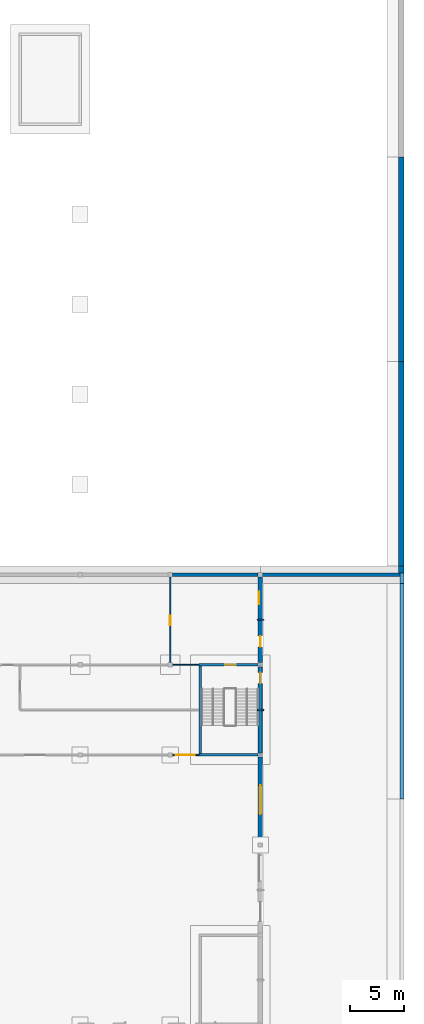
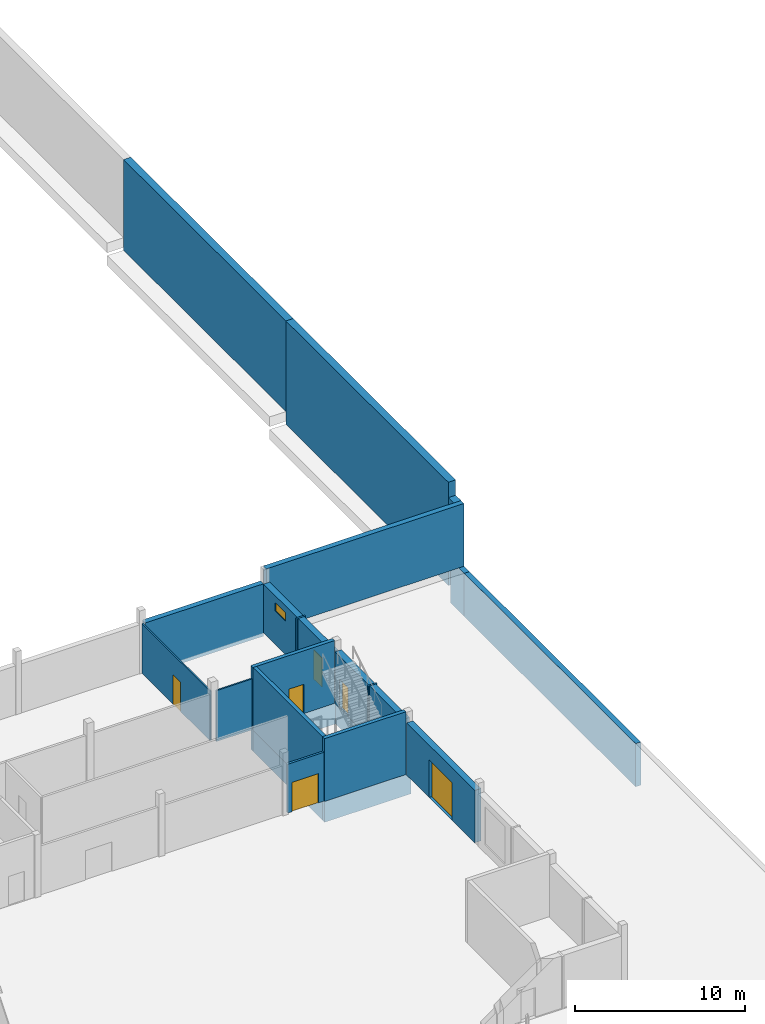
# One storey, part 27 of 36: 24 walls, 6 doors, 1 window, 7 openings.
"""IFC4 building model written with IfcOpenShell, lengths in metres."""

import ifcopenshell
import ifcopenshell.guid

model = None  # the IFC model being written
_history = None  # IfcOwnerHistory: only IFC2X3 demands one
_inside = {}  # id of a spatial element -> (the spatial element, [elements in it])
_under = {}  # id of a project, library or spatial element -> (it, [spatial elements below it])
_declared = {}  # id of a project -> (the project, [libraries it declares])
_typed = {}  # id of a type object -> (the type object, [elements of that type])
_made_of = {}  # id of a material, layer set ... -> (it, [elements and type objects made of it])


def new_model(schema):
    """Start an empty IFC model of exactly this schema.

    Asked for "IFC4X3", IfcOpenShell would pick the latest addendum, in which some entities
    have other attributes; the version numbers below select the first issue.
    IFC2X3 requires an IfcOwnerHistory on every rooted entity: one is made here for all.
    """
    global model, _history
    if schema == "IFC4X3":
        model = ifcopenshell.file(schema_version=(4, 3, 0, 0))
    else:
        model = ifcopenshell.file(schema=schema)
    _inside.clear()
    _under.clear()
    _declared.clear()
    _typed.clear()
    _made_of.clear()
    _history = None
    if model.schema == "IFC2X3":
        org = make("IfcOrganization", Name="unknown")
        user = make(
            "IfcPersonAndOrganization",
            ThePerson=make("IfcPerson", FamilyName="unknown"),
            TheOrganization=org,
        )
        app = make(
            "IfcApplication",
            ApplicationDeveloper=org,
            Version="unknown",
            ApplicationFullName="unknown",
            ApplicationIdentifier="unknown",
        )
        _history = make(
            "IfcOwnerHistory",
            OwningUser=user,
            OwningApplication=app,
            ChangeAction="ADDED",
            CreationDate=0,
        )
    return model


def make(cls, **values):
    """One entity of the class cls with the attributes given. An attribute that is None is left unset."""
    return model.create_entity(
        cls, **{name: value for name, value in values.items() if value is not None}
    )


def rooted(cls, **values):
    """An entity with a GlobalId (a new one), such as an element, a storey or a relation."""
    return make(cls, GlobalId=ifcopenshell.guid.new(), OwnerHistory=_history, **values)


def si_unit(unit_type, name, prefix=None):
    """IfcSIUnit, for example si_unit("LENGTHUNIT", "METRE", prefix="MILLI")."""
    return make("IfcSIUnit", UnitType=unit_type, Prefix=prefix, Name=name)


def assignment(units):
    """IfcUnitAssignment: the units of a project."""
    return None if units is None else make("IfcUnitAssignment", Units=units)


def point(xyz):
    """IfcCartesianPoint."""
    return None if xyz is None else make("IfcCartesianPoint", Coordinates=xyz)


def direction(xyz):
    """IfcDirection."""
    return None if xyz is None else make("IfcDirection", DirectionRatios=xyz)


def frame(location, z_axis=None, x_axis=None):
    """IfcAxis2Placement3D, a coordinate frame: its origin and axes. An axis left out is left unset."""
    return make(
        "IfcAxis2Placement3D",
        Location=point(location),
        Axis=direction(z_axis),
        RefDirection=direction(x_axis),
    )


def frame_2d(location, x_axis=None):
    """IfcAxis2Placement2D, a coordinate frame in the plane: its origin and x axis."""
    return make(
        "IfcAxis2Placement2D", Location=point(location), RefDirection=direction(x_axis)
    )


def origin():
    """The frame at (0, 0, 0) with its axes left unset."""
    return frame((0.0, 0.0, 0.0))


def place(relative_to, where):
    """IfcLocalPlacement: puts the frame where relative to a parent placement (None: the world)."""
    return make(
        "IfcLocalPlacement", PlacementRelTo=relative_to, RelativePlacement=where
    )


def context(
    kind, dimensions, precision=None, world=None, true_north=None, identifier=None
):
    """IfcGeometricRepresentationContext, for example the 3D "Model" context."""
    return make(
        "IfcGeometricRepresentationContext",
        ContextIdentifier=identifier,
        ContextType=kind,
        CoordinateSpaceDimension=dimensions,
        Precision=precision,
        WorldCoordinateSystem=world,
        TrueNorth=true_north,
    )


def subcontext(parent, identifier, kind, view, scale=None):
    """IfcGeometricRepresentationSubContext, for example "Body" below "Model"."""
    return make(
        "IfcGeometricRepresentationSubContext",
        ContextIdentifier=identifier,
        ContextType=kind,
        ParentContext=parent,
        TargetScale=scale,
        TargetView=view,
    )


def project(units=None, contexts=None):
    """IfcProject with its units and contexts."""
    return rooted(
        "IfcProject",
        Name="project",
        RepresentationContexts=contexts,
        UnitsInContext=assignment(units),
    )


def spatial(cls, under=None, at=None, **own):
    """A site, building, storey or space (cls), placed at a placement, below another one or the project."""
    s = rooted(cls, ObjectPlacement=at, **own)
    if under is not None:
        _under.setdefault(under.id(), (under, []))[1].append(s)
    return s


def profile(cls, at=None, kind="AREA", **sizes):
    """A parametric profile (cls). Its sizes go by their IFC names, for example OverallWidth=200.0."""
    return make(cls, ProfileType=kind, Position=at, **sizes)


def rectangle(**sizes):
    """IfcRectangleProfileDef."""
    return profile("IfcRectangleProfileDef", **sizes)


def extrude(swept, where, along, depth):
    """IfcExtrudedAreaSolid: the profile swept, set in the frame where, extruded along a direction by depth."""
    return make(
        "IfcExtrudedAreaSolid",
        SweptArea=swept,
        Position=where,
        ExtrudedDirection=direction(along),
        Depth=depth,
    )


def shape(context_of_items, identifier, shape_type, items):
    """IfcShapeRepresentation: the items that make up one representation, for example the "Body"."""
    return make(
        "IfcShapeRepresentation",
        ContextOfItems=context_of_items,
        RepresentationIdentifier=identifier,
        RepresentationType=shape_type,
        Items=items,
    )


def material(Name=None, Category=None):
    """IfcMaterial."""
    return make("IfcMaterial", Name=Name, Category=Category)


def layer(
    of_material, thickness, ventilated=None, Name=None, Category=None, Priority=None
):
    """IfcMaterialLayer: one layer of a wall or slab, of a material (None: an air gap)."""
    return make(
        "IfcMaterialLayer",
        Material=of_material,
        LayerThickness=thickness,
        IsVentilated=ventilated,
        Name=Name,
        Category=Category,
        Priority=Priority,
    )


def layer_set(layers, Name=None):
    """IfcMaterialLayerSet."""
    return make("IfcMaterialLayerSet", MaterialLayers=layers, LayerSetName=Name)


def made_of(thing, what):
    """Note that an element or type object is made of a material, layer set ...; save() writes the relation."""
    if what is not None:
        _made_of.setdefault(what.id(), (what, []))[1].append(thing)
    return thing


def type_object(cls, material=None, **own):
    """A type object (cls), such as IfcWallType, which elements share."""
    return made_of(rooted(cls, **own), material)


def element(
    cls,
    number,
    at=None,
    inside=None,
    cuts=None,
    type_object=None,
    material=None,
    context=None,
    identifier="Body",
    shape_type=None,
    held_by="IfcProductDefinitionShape",
    body=None,
    shapes=None,
    **own,
):
    """One element of the class cls, such as IfcWall. Its Tag is "e" and its number.

    at: its placement. inside: the storey or other place that contains it. cuts: it is an
    opening in that element (IfcRelVoidsElement). A single representation is given by context,
    identifier, shape_type and body (its items); several are given by shapes. held_by: the class
    of the entity that holds the representations. save() writes the other relations.
    """
    e = rooted(cls, Tag="e%d" % number, ObjectPlacement=at, **own)
    if body is not None:
        shapes = [shape(context, identifier, shape_type, body)]
    if shapes is not None:
        e.Representation = make(held_by, Representations=shapes)
    if inside is not None:
        _inside.setdefault(inside.id(), (inside, []))[1].append(e)
    if cuts is not None:
        rooted(
            "IfcRelVoidsElement", RelatingBuildingElement=cuts, RelatedOpeningElement=e
        )
    if type_object is not None:
        _typed.setdefault(type_object.id(), (type_object, []))[1].append(e)
    return made_of(e, material)


def fill(opening, filler):
    """IfcRelFillsElement: the door or window that sits in an opening."""
    return rooted(
        "IfcRelFillsElement",
        RelatingOpeningElement=opening,
        RelatedBuildingElement=filler,
    )


def aggregate(whole, parts):
    """IfcRelAggregates: a whole, such as a stair, and the parts it consists of."""
    return rooted("IfcRelAggregates", RelatingObject=whole, RelatedObjects=parts)


def save(model, path):
    """Write the relations noted so far, then the file.

    IfcRelAggregates (storeys below a building ...), IfcRelContainedInSpatialStructure (elements
    in a storey), IfcRelDefinesByType, IfcRelAssociatesMaterial and IfcRelDeclares: one each for
    every whole, place, type object, material and project.
    """
    for whole, parts in _under.values():
        aggregate(whole, parts)
    for where, things in _inside.values():
        rooted(
            "IfcRelContainedInSpatialStructure",
            RelatedElements=things,
            RelatingStructure=where,
        )
    for kind, things in _typed.values():
        rooted("IfcRelDefinesByType", RelatedObjects=things, RelatingType=kind)
    for what, things in _made_of.values():
        rooted("IfcRelAssociatesMaterial", RelatedObjects=things, RelatingMaterial=what)
    for by, libraries in _declared.values():
        rooted("IfcRelDeclares", RelatingContext=by, RelatedDefinitions=libraries)
    model.write(path)


model = new_model("IFC4")

# Units and contexts
model_context = context("Model", 3, precision=1e-05, world=origin(), true_north=direction((0.0, 1.0)))
body_context = subcontext(model_context, "Body", "Model", "MODEL_VIEW")
ifc_project = project(units=[si_unit("LENGTHUNIT", "METRE"), si_unit("AREAUNIT", "SQUARE_METRE"), si_unit("VOLUMEUNIT", "CUBIC_METRE"), si_unit("PLANEANGLEUNIT", "RADIAN"), si_unit("MASSUNIT", "GRAM", prefix="KILO")], contexts=[model_context])

# Site, building, storey
site_placement = place(None, origin())
site = spatial("IfcSite", under=ifc_project, at=site_placement, CompositionType="ELEMENT")
building_placement = place(site_placement, origin())
building = spatial("IfcBuilding", under=site, at=building_placement, Name="Fescue Hill Polytechnic", CompositionType="ELEMENT")
storey_placement = place(building_placement, origin())
storey = spatial("IfcBuildingStorey", under=building, at=storey_placement, Name="L00", CompositionType="ELEMENT", Elevation=0.0)

# Wall
ifc_material_1 = material(Name="Concrete 40 MPa", Category="concrete")
ifc_layer_1 = layer(ifc_material_1, 0.25)
ifc_layer_set_1 = layer_set([ifc_layer_1], Name="Concrete 40 MPa")
wall_type_1 = type_object("IfcWallType", Name="Core wall 250", PredefinedType="SHEAR", material=ifc_layer_set_1)
wall_1_placement = place(storey_placement, frame((153.875, 33.60009765625, 0.0), z_axis=(0.0, 0.0, 1.0), x_axis=(1.0, 0.0, 0.0)))
element("IfcWall", 1, at=wall_1_placement, inside=storey, type_object=wall_type_1, Name="CW-L00-ST-V3-2-11", PredefinedType="SHEAR", context=body_context, shape_type="SweptSolid", body=[
    extrude(rectangle(XDim=5.52490234375, YDim=0.25, at=frame_2d((2.762451171875, 0.0))), origin(), (0.0, 0.0, 1.0), 4.5),
])

# Wall, opening, door
wall_2_placement = place(storey_placement, frame((153.875, 42.0, 0.0), z_axis=(0.0, 0.0, 1.0), x_axis=(1.0, 0.0, 0.0)))
wall_2 = element("IfcWall", 2, at=wall_2_placement, inside=storey, type_object=wall_type_1, Name="CW-L00-ST-V3-2-21", PredefinedType="SHEAR", context=body_context, shape_type="SweptSolid", body=[
    extrude(rectangle(XDim=5.52490234375, YDim=0.25, at=frame_2d((2.762451171875, 0.0))), origin(), (0.0, 0.0, 1.0), 4.5),
])
opening_1_placement = place(wall_2_placement, frame((2.449951171875, 0.0, 0.0)))
opening_1 = element("IfcOpeningElement", 3, at=opening_1_placement, cuts=wall_2, Name="Opening D0082", PredefinedType="OPENING", context=body_context, shape_type="SweptSolid", body=[
    extrude(rectangle(XDim=1.0, YDim=2.10009765625, at=frame_2d((0.5, 1.050048828125))), frame((0.0, 0.135009765625, 0.0), z_axis=(0.0, -1.0, 0.0), x_axis=(1.0, 0.0, 0.0)), (0.0, 0.0, 1.0), 0.27001953125),
])
ifc_material_2 = material(Name="Steel fire door", Category="steel")
door_type_1 = type_object("IfcDoorType", Name="Door single swing 1000x2100 stair fire rated", OperationType="NOTDEFINED", PredefinedType="DOOR", material=ifc_material_2)
door_1_placement = place(opening_1_placement, origin())
door_1 = element("IfcDoor", 4, at=door_1_placement, inside=storey, type_object=door_type_1, Name="L00 ST-V3-2 stair door", OperationType="SINGLE_SWING_LEFT", OverallHeight=2.10009765625, OverallWidth=1.0, PredefinedType="DOOR", context=body_context, shape_type="SweptSolid", body=[
    extrude(rectangle(XDim=1.0, YDim=2.10009765625, at=frame_2d((0.5, 1.050048828125))), frame((0.0, 0.02490234375, 0.0), z_axis=(0.0, -1.0, 0.0), x_axis=(1.0, 0.0, 0.0)), (0.0, 0.0, 1.0), 0.050048828125),
])
fill(opening_1, door_1)

# Walls
wall_3_placement = place(storey_placement, frame((154.0, 33.72509765625, 0.0), z_axis=(0.0, 0.0, 1.0), x_axis=(0.0, 1.0, 0.0)))
element("IfcWall", 5, at=wall_3_placement, inside=storey, type_object=wall_type_1, Name="CW-L00-ST-V3-2-31", PredefinedType="SHEAR", context=body_context, shape_type="SweptSolid", body=[
    extrude(rectangle(XDim=8.14990234375, YDim=0.25, at=frame_2d((4.074951171875, 0.0))), origin(), (0.0, 0.0, 1.0), 4.5),
])
for number, where, z_axis, x_axis, name in (
    (6, (153.875, 33.60009765625, -1.5), (0.0, 0.0, 1.0), (1.0, 0.0, 0.0), "FW-ST-V3-2-1"),
    (7, (153.875, 42.0, -1.5), (0.0, 0.0, 1.0), (1.0, 0.0, 0.0), "FW-ST-V3-2-2"),
):
    element("IfcWall", number, at=place(storey_placement, frame(where, z_axis=z_axis, x_axis=x_axis)), inside=storey, type_object=wall_type_1, Name=name, PredefinedType="SHEAR", context=body_context, shape_type="SweptSolid", body=[
        extrude(rectangle(XDim=5.85009765625, YDim=0.25, at=frame_2d((2.925048828125, 0.0))), origin(), (0.0, 0.0, 1.0), 1.5),
    ])
for number, where, z_axis, x_axis, name in (
    (8, (154.0, 33.72509765625, -1.5), (0.0, 0.0, 1.0), (0.0, 1.0, 0.0), "FW-ST-V3-2-3"),
    (9, (159.60009765625, 33.72509765625, -1.5), (0.0, 0.0, 1.0), (0.0, 1.0, 0.0), "FW-ST-V3-2-4"),
):
    element("IfcWall", number, at=place(storey_placement, frame(where, z_axis=z_axis, x_axis=x_axis)), inside=storey, type_object=wall_type_1, Name=name, PredefinedType="SHEAR", context=body_context, shape_type="SweptSolid", body=[
        extrude(rectangle(XDim=8.14990234375, YDim=0.25, at=frame_2d((4.074951171875, 0.0))), origin(), (0.0, 0.0, 1.0), 1.5),
    ])

# Wall, opening, door
ifc_material_3 = material(Name="Gypsum board partition")
ifc_layer_2 = layer(ifc_material_3, 0.14990234375)
ifc_layer_set_2 = layer_set([ifc_layer_2], Name="Gypsum board partition")
wall_type_2 = type_object("IfcWallType", Name="Corridor wall 150 EI 45", PredefinedType="PARTITIONING", material=ifc_layer_set_2)
wall_4_placement = place(storey_placement, frame((151.39990234375, 33.60009765625, 0.0), z_axis=(0.0, 0.0, 1.0), x_axis=(1.0, 0.0, 0.0)))
wall_4 = element("IfcWall", 10, at=wall_4_placement, inside=storey, type_object=wall_type_2, Name="IW-L00-041", PredefinedType="PARTITIONING", context=body_context, shape_type="SweptSolid", body=[
    extrude(rectangle(XDim=2.4501953125, YDim=0.14990234375, at=frame_2d((1.22509765625, 0.0))), origin(), (0.0, 0.0, 1.0), 3.5),
])
opening_2_placement = place(wall_4_placement, frame((0.300048828125, 0.0, 0.0)))
opening_2 = element("IfcOpeningElement", 11, at=opening_2_placement, cuts=wall_4, Name="Opening D0063", PredefinedType="OPENING", context=body_context, shape_type="SweptSolid", body=[
    extrude(rectangle(XDim=1.800048828125, YDim=2.10009765625, at=frame_2d((0.89990234375, 1.050048828125))), frame((0.0, 0.0849609375, 0.0), z_axis=(0.0, -1.0, 0.0), x_axis=(1.0, 0.0, 0.0)), (0.0, 0.0, 1.0), 0.169921875),
])
ifc_material_4 = material(Name="Timber", Category="wood")
door_type_2 = type_object("IfcDoorType", Name="Door double swing 1800x2100 FD30S", OperationType="DOUBLE_DOOR_SINGLE_SWING", PredefinedType="DOOR", material=ifc_material_4)
door_2_placement = place(opening_2_placement, origin())
door_2 = element("IfcDoor", 12, at=door_2_placement, inside=storey, type_object=door_type_2, Name="Door D0063", OperationType="DOUBLE_DOOR_SINGLE_SWING", OverallHeight=2.10009765625, OverallWidth=1.800048828125, PredefinedType="DOOR", context=body_context, shape_type="SweptSolid", body=[
    extrude(rectangle(XDim=1.800048828125, YDim=2.10009765625, at=frame_2d((0.89990234375, 1.050048828125))), frame((0.0, 0.02490234375, 0.0), z_axis=(0.0, -1.0, 0.0), x_axis=(1.0, 0.0, 0.0)), (0.0, 0.0, 1.0), 0.050048828125),
])
fill(opening_2, door_2)

ifc_material_5 = material(Name="Clay brick masonry", Category="masonry")
ifc_layer_3 = layer(ifc_material_5, 0.419921875)
ifc_layer_set_3 = layer_set([ifc_layer_3], Name="Clay brick masonry")
wall_type_3 = type_object("IfcWallType", Name="Exterior wall buff-red brick cavity 420", PredefinedType="SOLIDWALL", material=ifc_layer_set_3)
wall_5_placement = place(storey_placement, frame((159.60009765625, 25.39990234375, 0.0), z_axis=(0.0, 0.0, 1.0), x_axis=(0.0, 1.0, 0.0)))
wall_5 = element("IfcWall", 13, at=wall_5_placement, inside=storey, type_object=wall_type_3, Name="EW-L00-V3-5", PredefinedType="SOLIDWALL", context=body_context, shape_type="SweptSolid", body=[
    extrude(rectangle(XDim=8.0, YDim=0.419921875, at=frame_2d((4.0, 0.0))), origin(), (0.0, 0.0, 1.0), 3.75),
])
opening_3_placement = place(wall_5_placement, frame((2.64990234375, 0.0, 0.0)))
opening_3 = element("IfcOpeningElement", 14, at=opening_3_placement, cuts=wall_5, Name="Opening D0014", PredefinedType="OPENING", context=body_context, shape_type="SweptSolid", body=[
    extrude(rectangle(XDim=2.699951171875, YDim=2.699951171875, at=frame_2d((1.35009765625, 1.35009765625))), frame((0.0, 0.219970703125, 0.0), z_axis=(0.0, -1.0, 0.0), x_axis=(1.0, 0.0, 0.0)), (0.0, 0.0, 1.0), 0.43994140625),
])
ifc_material_6 = material(Name="Insulated steel sections", Category="steel")
door_type_3 = type_object("IfcDoorType", Name="Door delivery sectional 2700x2700", OperationType="ROLLINGUP", PredefinedType="DOOR", material=ifc_material_6)
door_3_placement = place(opening_3_placement, origin())
door_3 = element("IfcDoor", 15, at=door_3_placement, inside=storey, type_object=door_type_3, Name="Door D0014", OperationType="SINGLE_SWING_LEFT", OverallHeight=2.699951171875, OverallWidth=2.699951171875, PredefinedType="DOOR", context=body_context, shape_type="SweptSolid", body=[
    extrude(rectangle(XDim=2.699951171875, YDim=2.699951171875, at=frame_2d((1.35009765625, 1.35009765625))), frame((0.0, 0.02490234375, 0.0), z_axis=(0.0, -1.0, 0.0), x_axis=(1.0, 0.0, 0.0)), (0.0, 0.0, 1.0), 0.050048828125),
])
fill(opening_3, door_3)

wall_6_placement = place(storey_placement, frame((159.60009765625, 42.199951171875, 0.0), z_axis=(0.0, 0.0, 1.0), x_axis=(0.0, 1.0, 0.0)))
wall_6 = element("IfcWall", 16, at=wall_6_placement, inside=storey, type_object=wall_type_3, Name="EW-L00-V3-8", PredefinedType="SOLIDWALL", context=body_context, shape_type="SweptSolid", body=[
    extrude(rectangle(XDim=3.93994140625, YDim=0.419921875, at=frame_2d((1.969970703125, 0.0))), origin(), (0.0, 0.0, 1.0), 3.5),
])
opening_4_placement = place(wall_6_placement, frame((1.469970703125, 0.0, 0.0)))
opening_4 = element("IfcOpeningElement", 17, at=opening_4_placement, cuts=wall_6, Name="Opening D0015", PredefinedType="OPENING", context=body_context, shape_type="SweptSolid", body=[
    extrude(rectangle(XDim=1.0, YDim=2.10009765625, at=frame_2d((0.5, 1.050048828125))), frame((0.0, 0.219970703125, 0.0), z_axis=(0.0, -1.0, 0.0), x_axis=(1.0, 0.0, 0.0)), (0.0, 0.0, 1.0), 0.43994140625),
])
ifc_material_7 = material(Name="Hollow metal")
door_type_4 = type_object("IfcDoorType", Name="Door exit single 1000x2100 fire rated", OperationType="SINGLE_SWING_LEFT", PredefinedType="DOOR", material=ifc_material_7)
door_4_placement = place(opening_4_placement, origin())
door_4 = element("IfcDoor", 18, at=door_4_placement, inside=storey, type_object=door_type_4, Name="Door D0015", OperationType="SINGLE_SWING_LEFT", OverallHeight=2.10009765625, OverallWidth=1.0, PredefinedType="DOOR", context=body_context, shape_type="SweptSolid", body=[
    extrude(rectangle(XDim=1.0, YDim=2.10009765625, at=frame_2d((0.5, 1.050048828125))), frame((0.0, 0.02490234375, 0.0), z_axis=(0.0, -1.0, 0.0), x_axis=(1.0, 0.0, 0.0)), (0.0, 0.0, 1.0), 0.050048828125),
])
fill(opening_4, door_4)

# Wall, opening, window
wall_7_placement = place(storey_placement, frame((159.60009765625, 46.260009765625, 0.0), z_axis=(0.0, 0.0, 1.0), x_axis=(0.0, 1.0, 0.0)))
wall_7 = element("IfcWall", 19, at=wall_7_placement, inside=storey, type_object=wall_type_3, Name="EW-L00-V3-9", PredefinedType="SOLIDWALL", context=body_context, shape_type="SweptSolid", body=[
    extrude(rectangle(XDim=3.93994140625, YDim=0.419921875, at=frame_2d((1.969970703125, 0.0))), origin(), (0.0, 0.0, 1.0), 3.5),
])
opening_5_placement = place(wall_7_placement, frame((1.3701171875, 0.0, 2.39990234375)))
opening_5 = element("IfcOpeningElement", 20, at=opening_5_placement, cuts=wall_7, Name="Opening W12", PredefinedType="OPENING", context=body_context, shape_type="SweptSolid", body=[
    extrude(rectangle(XDim=1.199951171875, YDim=0.60009765625, at=frame_2d((0.60009765625, 0.300048828125))), frame((0.0, 0.219970703125, 0.0), z_axis=(0.0, -1.0, 0.0), x_axis=(1.0, 0.0, 0.0)), (0.0, 0.0, 1.0), 0.43994140625),
])
ifc_material_8 = material(Name="Powder-coated aluminium and glass", Category="aluminium")
window_type = type_object("IfcWindowType", Name="Window plant and store high-level 1200x600", PartitioningType="SINGLE_PANEL", PredefinedType="WINDOW", material=ifc_material_8)
window_placement = place(opening_5_placement, origin())
window = element("IfcWindow", 21, at=window_placement, inside=storey, type_object=window_type, Name="WN-L00-V3-2", OverallHeight=0.60009765625, OverallWidth=1.199951171875, PartitioningType="SINGLE_PANEL", PredefinedType="WINDOW", context=body_context, shape_type="SweptSolid", body=[
    extrude(rectangle(XDim=1.199951171875, YDim=0.60009765625, at=frame_2d((0.60009765625, 0.300048828125))), frame((0.0, 0.150146484375, 0.0), z_axis=(0.0, -1.0, 0.0), x_axis=(1.0, 0.0, 0.0)), (0.0, 0.0, 1.0), 0.06005859375),
])
fill(opening_5, window)

# Wall
ifc_layer_4 = layer(ifc_material_5, 0.419921875)
ifc_layer_set_4 = layer_set([ifc_layer_4], Name="Clay brick masonry")
wall_type_4 = type_object("IfcWallType", Name="Exterior wall buff-red brick cavity 420 load-bearing", PredefinedType="SOLIDWALL", material=ifc_layer_set_4)
wall_8_placement = place(storey_placement, frame((159.60009765625, 33.800048828125, 0.0), z_axis=(0.0, 0.0, 1.0), x_axis=(0.0, 1.0, 0.0)))
element("IfcWall", 22, at=wall_8_placement, inside=storey, type_object=wall_type_4, Name="EW-L00-V3-6", PredefinedType="SOLIDWALL", context=body_context, shape_type="SweptSolid", body=[
    extrude(rectangle(XDim=3.93994140625, YDim=0.419921875, at=frame_2d((1.969970703125, 0.0))), origin(), (0.0, 0.0, 1.0), 3.75),
])

# Wall, opening, door
wall_9_placement = place(storey_placement, frame((159.60009765625, 37.860107421875, 0.0), z_axis=(0.0, 0.0, 1.0), x_axis=(0.0, 1.0, 0.0)))
wall_9 = element("IfcWall", 23, at=wall_9_placement, inside=storey, type_object=wall_type_4, Name="EW-L00-V3-7", PredefinedType="SOLIDWALL", context=body_context, shape_type="SweptSolid", body=[
    extrude(rectangle(XDim=3.93994140625, YDim=0.419921875, at=frame_2d((1.969970703125, 0.0))), origin(), (0.0, 0.0, 1.0), 3.75),
])
opening_6_placement = place(wall_9_placement, frame((3.4150390625, 0.0, 0.0), z_axis=(0.0, 0.0, 1.0), x_axis=(-1.0, 0.0, 0.0)))
opening_6 = element("IfcOpeningElement", 24, at=opening_6_placement, cuts=wall_9, Name="Opening D0083", PredefinedType="OPENING", context=body_context, shape_type="SweptSolid", body=[
    extrude(rectangle(XDim=1.0, YDim=2.10009765625, at=frame_2d((0.5, 1.050048828125))), frame((0.0, 0.219970703125, 0.0), z_axis=(0.0, -1.0, 0.0), x_axis=(1.0, 0.0, 0.0)), (0.0, 0.0, 1.0), 0.43994140625),
])
door_5_placement = place(opening_6_placement, origin())
door_5 = element("IfcDoor", 25, at=door_5_placement, inside=storey, type_object=door_type_4, Name="Door D0083", OperationType="SINGLE_SWING_LEFT", OverallHeight=2.10009765625, OverallWidth=1.0, PredefinedType="DOOR", context=body_context, shape_type="SweptSolid", body=[
    extrude(rectangle(XDim=1.0, YDim=2.10009765625, at=frame_2d((0.5, 1.050048828125))), frame((0.0, 0.02490234375, 0.0), z_axis=(0.0, -1.0, 0.0), x_axis=(1.0, 0.0, 0.0)), (0.0, 0.0, 1.0), 0.050048828125),
])
fill(opening_6, door_5)

# Wall
ifc_layer_5 = layer(ifc_material_3, 0.10009765625)
ifc_layer_set_5 = layer_set([ifc_layer_5], Name="Gypsum board partition")
wall_type_5 = type_object("IfcWallType", Name="Partition stud 100", PredefinedType="PARTITIONING", material=ifc_layer_set_5)
wall_10_placement = place(storey_placement, frame((151.425048828125, 42.0, 0.0), z_axis=(0.0, 0.0, 1.0), x_axis=(1.0, 0.0, 0.0)))
element("IfcWall", 26, at=wall_10_placement, inside=storey, type_object=wall_type_5, Name="IW-L00-055", PredefinedType="PARTITIONING", context=body_context, shape_type="SweptSolid", body=[
    extrude(rectangle(XDim=2.425048828125, YDim=0.10009765625, at=frame_2d((1.21240234375, 0.0))), origin(), (0.0, 0.0, 1.0), 3.64990234375),
])

# Wall, opening, door
wall_11_placement = place(storey_placement, frame((151.199951171875, 42.22509765625, 0.0), z_axis=(0.0, 0.0, 1.0), x_axis=(0.0, 1.0, 0.0)))
wall_11 = element("IfcWall", 27, at=wall_11_placement, inside=storey, type_object=wall_type_5, Name="IW-L00-096", PredefinedType="PARTITIONING", context=body_context, shape_type="SweptSolid", body=[
    extrude(rectangle(XDim=7.974853515625, YDim=0.10009765625, at=frame_2d((3.9873046875, 0.0))), origin(), (0.0, 0.0, 1.0), 3.550048828125),
])
opening_7_placement = place(wall_11_placement, frame((3.449951171875, 0.0, 0.0)))
opening_7 = element("IfcOpeningElement", 28, at=opening_7_placement, cuts=wall_11, Name="Opening D0068", PredefinedType="OPENING", context=body_context, shape_type="SweptSolid", body=[
    extrude(rectangle(XDim=0.89990234375, YDim=2.10009765625, at=frame_2d((0.449951171875, 1.050048828125))), frame((0.0, 0.06005859375, 0.0), z_axis=(0.0, -1.0, 0.0), x_axis=(1.0, 0.0, 0.0)), (0.0, 0.0, 1.0), 0.1201171875),
])
door_type_5 = type_object("IfcDoorType", Name="Door single swing 900x2100 store", OperationType="SINGLE_SWING_LEFT", PredefinedType="DOOR", material=ifc_material_4)
door_6_placement = place(opening_7_placement, origin())
door_6 = element("IfcDoor", 29, at=door_6_placement, inside=storey, type_object=door_type_5, Name="Door D0068", OperationType="SINGLE_SWING_LEFT", OverallHeight=2.10009765625, OverallWidth=0.89990234375, PredefinedType="DOOR", context=body_context, shape_type="SweptSolid", body=[
    extrude(rectangle(XDim=0.89990234375, YDim=2.10009765625, at=frame_2d((0.449951171875, 1.050048828125))), frame((0.0, 0.02490234375, 0.0), z_axis=(0.0, -1.0, 0.0), x_axis=(1.0, 0.0, 0.0)), (0.0, 0.0, 1.0), 0.050048828125),
])
fill(opening_7, door_6)

# Walls
ifc_material_9 = material(Name="Concrete 35 MPa", Category="concrete")
ifc_layer_6 = layer(ifc_material_9, 0.35009765625)
ifc_layer_set_6 = layer_set([ifc_layer_6], Name="Concrete 35 MPa")
wall_type_6 = type_object("IfcWallType", Name="Retaining wall 350", PredefinedType="SOLIDWALL", material=ifc_layer_set_6)
wall_12_placement = place(storey_placement, frame((159.39990234375, 50.39990234375, -0.25), z_axis=(0.0, 0.0, 1.0), x_axis=(-1.0, 0.0, 0.0)))
element("IfcWall", 30, at=wall_12_placement, inside=storey, type_object=wall_type_6, Name="RE-L00-V3-14", PredefinedType="SOLIDWALL", context=body_context, shape_type="SweptSolid", body=[
    extrude(rectangle(XDim=8.0, YDim=0.35009765625, at=frame_2d((4.0, 0.0))), origin(), (0.0, 0.0, 1.0), 3.75),
])
wall_13_placement = place(storey_placement, frame((159.60009765625, 50.39990234375, 0.0), z_axis=(0.0, 0.0, 1.0), x_axis=(1.0, 0.0, 0.0)))
element("IfcWall", 31, at=wall_13_placement, inside=storey, type_object=wall_type_6, Name="RT-RW2", PredefinedType="SOLIDWALL", context=body_context, shape_type="SweptSolid", body=[
    extrude(rectangle(XDim=13.389892578125, YDim=0.35009765625, at=frame_2d((6.69482421875, 0.0))), origin(), (0.0, 0.0, 1.0), 4.5),
])
wall_14_placement = place(storey_placement, frame((172.818115234375, 29.468994140625, -3.10009765625), z_axis=(0.0, 0.0, 1.0), x_axis=(0.0, 1.0, 0.0)))
element("IfcWall", 32, at=wall_14_placement, inside=storey, type_object=wall_type_6, Name="RT-PW18", PredefinedType="SOLIDWALL", context=body_context, shape_type="SweptSolid", body=[
    extrude(rectangle(XDim=20.131103515625, YDim=0.35009765625, at=frame_2d((10.0654296875, 0.0))), origin(), (0.0, 0.0, 1.0), 3.10009765625),
])
wall_15_placement = place(storey_placement, frame((172.818115234375, 49.60009765625, -3.10009765625), z_axis=(0.0, 0.0, 1.0), x_axis=(0.0, 1.0, 0.0)))
element("IfcWall", 33, at=wall_15_placement, inside=storey, type_object=wall_type_6, Name="RT-PW19", PredefinedType="SOLIDWALL", context=body_context, shape_type="SweptSolid", body=[
    extrude(rectangle(XDim=1.599853515625, YDim=0.35009765625, at=frame_2d((0.7998046875, 0.0))), origin(), (0.0, 0.0, 1.0), 3.10009765625),
])
ifc_layer_7 = layer(ifc_material_9, 0.5)
ifc_layer_set_7 = layer_set([ifc_layer_7], Name="Concrete 35 MPa")
wall_type_7 = type_object("IfcWallType", Name="Retaining wall 500", PredefinedType="SOLIDWALL", material=ifc_layer_set_7)
wall_16_placement = place(storey_placement, frame((172.742919921875, 50.574951171875, 0.0), z_axis=(0.0, 0.0, 1.0), x_axis=(0.0, 1.0, 0.0)))
element("IfcWall", 34, at=wall_16_placement, inside=storey, type_object=wall_type_7, Name="RT-PW21", PredefinedType="SOLIDWALL", context=body_context, shape_type="SweptSolid", body=[
    extrude(rectangle(XDim=0.625, YDim=0.5, at=frame_2d((0.3125, 0.0))), origin(), (0.0, 0.0, 1.0), 4.5),
])
wall_17_placement = place(storey_placement, frame((172.742919921875, 51.199951171875, -1.799072265625), z_axis=(0.0, 0.0, 1.0), x_axis=(0.0, 1.0, 0.0)))
element("IfcWall", 35, at=wall_17_placement, inside=storey, type_object=wall_type_7, Name="RT-PW22", PredefinedType="SOLIDWALL", context=body_context, shape_type="SweptSolid", body=[
    extrude(rectangle(XDim=19.066650390625, YDim=0.5, at=frame_2d((9.533203125, 0.0))), origin(), (0.0, 0.0, 1.0), 7.399169921875),
])
wall_18_placement = place(storey_placement, frame((172.742919921875, 70.2666015625, -0.89208984375), z_axis=(0.0, 0.0, 1.0), x_axis=(0.0, 1.0, 0.0)))
element("IfcWall", 36, at=wall_18_placement, inside=storey, type_object=wall_type_7, Name="RT-PW23", PredefinedType="SOLIDWALL", context=body_context, shape_type="SweptSolid", body=[
    extrude(rectangle(XDim=19.066650390625, YDim=0.5, at=frame_2d((9.533203125, 0.0))), origin(), (0.0, 0.0, 1.0), 6.4921875),
])
ifc_material_10 = material(Name="Glulam 24f-EX", Category="wood")
ifc_layer_8 = layer(ifc_material_10, 0.60009765625)
ifc_layer_set_8 = layer_set([ifc_layer_8], Name="Glulam 24f-EX")
wall_type_8 = type_object("IfcWallType", Name="Timber fin 120x600", PredefinedType="SOLIDWALL", material=ifc_layer_set_8)
wall_19_placement = place(storey_placement, frame((159.60009765625, 37.739990234375, 0.0), z_axis=(0.0, 0.0, 1.0), x_axis=(0.0, 1.0, 0.0)))
element("IfcWall", 37, at=wall_19_placement, inside=storey, type_object=wall_type_8, Name="PR-L00-V3-3", PredefinedType="SOLIDWALL", context=body_context, shape_type="SweptSolid", body=[
    extrude(rectangle(XDim=0.1201171875, YDim=0.60009765625, at=frame_2d((0.06005859375, 0.0))), origin(), (0.0, 0.0, 1.0), 3.75),
])
wall_20_placement = place(storey_placement, frame((159.60009765625, 46.139892578125, 0.0), z_axis=(0.0, 0.0, 1.0), x_axis=(0.0, 1.0, 0.0)))
element("IfcWall", 38, at=wall_20_placement, inside=storey, type_object=wall_type_8, Name="PR-L00-V3-4", PredefinedType="SOLIDWALL", context=body_context, shape_type="SweptSolid", body=[
    extrude(rectangle(XDim=0.1201171875, YDim=0.60009765625, at=frame_2d((0.06005859375, 0.0))), origin(), (0.0, 0.0, 1.0), 3.5),
])

save(model, "model.ifc")
